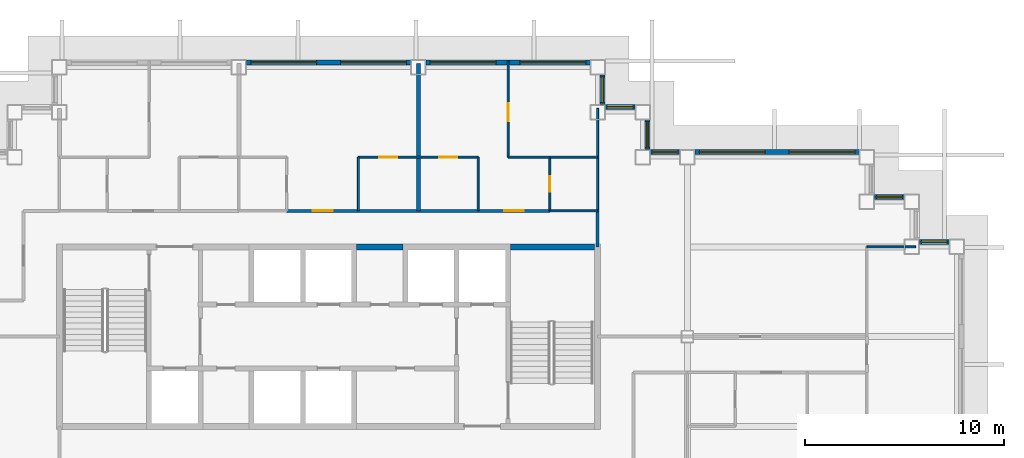
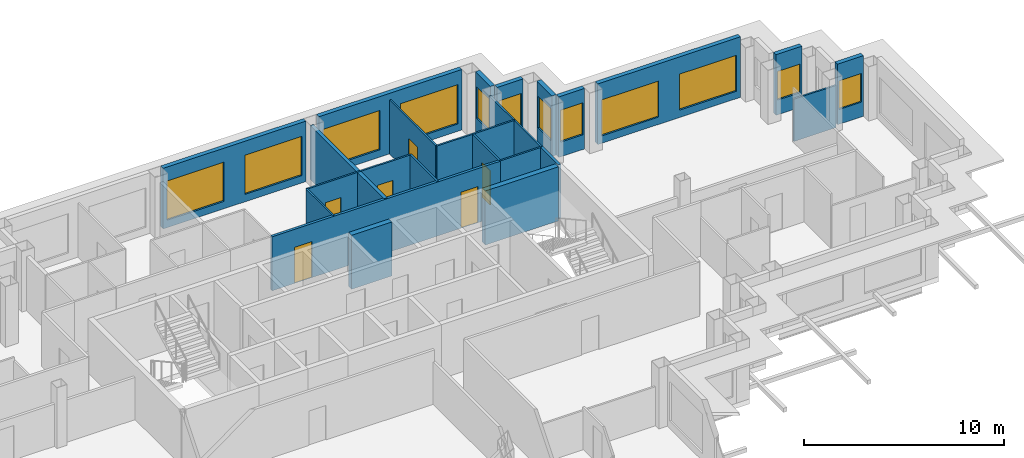
# One storey, part 8 of 14: 25 walls, 12 windows, 6 doors, 18 openings.
"""IFC4 building model written with IfcOpenShell, lengths in metres."""

from ifc_helpers import new_model, si_unit, direction, frame, frame_2d, origin, place, context, subcontext, project, spatial, rectangle, extrude, material, layer, layer_set, type_object, element, fill, save


model = new_model("IFC4")

# Units and contexts
model_context = context("Model", 3, precision=1e-05, world=origin(), true_north=direction((0.0, 1.0)))
body_context = subcontext(model_context, "Body", "Model", "MODEL_VIEW")
ifc_project = project(units=[si_unit("LENGTHUNIT", "METRE"), si_unit("AREAUNIT", "SQUARE_METRE"), si_unit("VOLUMEUNIT", "CUBIC_METRE"), si_unit("PLANEANGLEUNIT", "RADIAN"), si_unit("MASSUNIT", "GRAM", prefix="KILO")], contexts=[model_context])

# Site, building, storey
site_placement = place(None, origin())
site = spatial("IfcSite", under=ifc_project, at=site_placement, CompositionType="ELEMENT")
building_placement = place(site_placement, origin())
building = spatial("IfcBuilding", under=site, at=building_placement, Name="Caravel Reach Hotel and Residences", CompositionType="ELEMENT")
storey_placement = place(building_placement, frame((0.0, 0.0, 183.89990234375)))
storey = spatial("IfcBuildingStorey", under=building, at=storey_placement, Name="L46", CompositionType="ELEMENT", Elevation=183.89990234375)

# Walls
ifc_material_1 = material(Name="Gypsum board on steel stud", Category="steel")
ifc_layer_1 = layer(ifc_material_1, 0.10009765625)
ifc_layer_set_1 = layer_set([ifc_layer_1], Name="Bathroom pod wall 100 mm")
wall_type_1 = type_object("IfcWallType", Name="Bathroom pod wall 100 mm", PredefinedType="PARTITIONING", material=ifc_layer_set_1)
for number, where, z_axis, x_axis, name in (
    (1, (42.60009765625, 33.300048828125, 0.0), (0.0, 0.0, 1.0), (1.0, 0.0, 0.0), "L46 wall w079"),
    (2, (42.60009765625, 36.0, 0.0), (0.0, 0.0, 1.0), (1.0, 0.0, 0.0), "L46 wall w082"),
):
    element("IfcWall", number, at=place(storey_placement, frame(where, z_axis=z_axis, x_axis=x_axis)), inside=storey, type_object=wall_type_1, Name=name, PredefinedType="PARTITIONING", context=body_context, shape_type="SweptSolid", body=[
        extrude(rectangle(XDim=2.39990234375, YDim=0.10009765625, at=frame_2d((1.199951171875, 0.0))), origin(), (0.0, 0.0, 1.0), 3.300048828125),
    ])

# Wall, opening, door
wall_1_placement = place(storey_placement, frame((42.60009765625, 33.300048828125, 0.0), z_axis=(0.0, 0.0, 1.0), x_axis=(0.0, 1.0, 0.0)))
wall_1 = element("IfcWall", 3, at=wall_1_placement, inside=storey, type_object=wall_type_1, Name="L46 wall w093", PredefinedType="PARTITIONING", context=body_context, shape_type="SweptSolid", body=[
    extrude(rectangle(XDim=2.699951171875, YDim=0.10009765625, at=frame_2d((1.35009765625, 0.0))), origin(), (0.0, 0.0, 1.0), 3.300048828125),
])
opening_1_placement = place(wall_1_placement, frame((0.949951171875, 0.0, 0.0)))
opening_1 = element("IfcOpeningElement", 4, at=opening_1_placement, cuts=wall_1, Name="Opening D46-025", PredefinedType="OPENING", context=body_context, shape_type="SweptSolid", body=[
    extrude(rectangle(XDim=0.800048828125, YDim=2.10009765625, at=frame_2d((0.39990234375, 1.050048828125))), frame((0.0, 0.06005859375, 0.0), z_axis=(0.0, -1.0, 0.0), x_axis=(1.0, 0.0, 0.0)), (0.0, 0.0, 1.0), 0.1201171875),
])
ifc_material_2 = material(Name="Timber and steel door leaf", Category="steel")
door_type_1 = type_object("IfcDoorType", Name="Bathroom door 800 x 2100", OperationType="SINGLE_SWING_LEFT", PredefinedType="DOOR", material=ifc_material_2)
door_1_placement = place(opening_1_placement, origin())
door_1 = element("IfcDoor", 5, at=door_1_placement, inside=storey, type_object=door_type_1, Name="door D46-025", OperationType="SINGLE_SWING_LEFT", OverallHeight=2.10009765625, OverallWidth=0.800048828125, PredefinedType="DOOR", context=body_context, shape_type="SweptSolid", body=[
    extrude(rectangle(XDim=0.800048828125, YDim=2.10009765625, at=frame_2d((0.39990234375, 1.050048828125))), frame((0.0, 0.02490234375, 0.0), z_axis=(0.0, -1.0, 0.0), x_axis=(1.0, 0.0, 0.0)), (0.0, 0.0, 1.0), 0.050048828125),
])
fill(opening_1, door_1)

# Walls
wall_2_placement = place(storey_placement, frame((45.0, 33.300048828125, 0.0), z_axis=(0.0, 0.0, 1.0), x_axis=(0.0, 1.0, 0.0)))
element("IfcWall", 6, at=wall_2_placement, inside=storey, type_object=wall_type_1, Name="L46 wall w094", PredefinedType="PARTITIONING", context=body_context, shape_type="SweptSolid", body=[
    extrude(rectangle(XDim=2.699951171875, YDim=0.10009765625, at=frame_2d((1.35009765625, 0.0))), origin(), (0.0, 0.0, 1.0), 3.300048828125),
])
ifc_material_3 = material(Name="Concrete C60", Category="concrete")
ifc_layer_2 = layer(ifc_material_3, 0.300048828125)
ifc_layer_set_2 = layer_set([ifc_layer_2], Name="Core wall 300 mm EI 120")
wall_type_2 = type_object("IfcWallType", Name="Core wall 300 mm EI 120", PredefinedType="SHEAR", material=ifc_layer_set_2)
wall_3_placement = place(storey_placement, frame((32.91064453125, 31.5, 0.0), z_axis=(0.0, 0.0, 1.0), x_axis=(1.0, 0.0, 0.0)))
element("IfcWall", 7, at=wall_3_placement, inside=storey, type_object=wall_type_2, Name="L46 core wall N2", PredefinedType="SHEAR", context=body_context, shape_type="SweptSolid", body=[
    extrude(rectangle(XDim=2.321533203125, YDim=0.300048828125, at=frame_2d((1.16064453125, 0.0))), origin(), (0.0, 0.0, 1.0), 3.300048828125),
])
wall_4_placement = place(storey_placement, frame((40.625, 31.5, 0.0), z_axis=(0.0, 0.0, 1.0), x_axis=(1.0, 0.0, 0.0)))
element("IfcWall", 8, at=wall_4_placement, inside=storey, type_object=wall_type_2, Name="L46 core wall N3", PredefinedType="SHEAR", context=body_context, shape_type="SweptSolid", body=[
    extrude(rectangle(XDim=4.22509765625, YDim=0.300048828125, at=frame_2d((2.112548828125, 0.0))), origin(), (0.0, 0.0, 1.0), 3.300048828125),
])

# Wall, openings, doors
ifc_material_4 = material(Name="Gypsum board on steel stud, fire-rated", Category="steel")
ifc_layer_3 = layer(ifc_material_4, 0.14990234375)
ifc_layer_set_3 = layer_set([ifc_layer_3], Name="Corridor wall 150 mm EI 60")
wall_type_3 = type_object("IfcWallType", Name="Corridor wall 150 mm EI 60", PredefinedType="PARTITIONING", material=ifc_layer_set_3)
wall_5_placement = place(storey_placement, frame((29.39990234375, 33.300048828125, 0.0), z_axis=(0.0, 0.0, 1.0), x_axis=(1.0, 0.0, 0.0)))
wall_5 = element("IfcWall", 9, at=wall_5_placement, inside=storey, type_object=wall_type_3, Name="L46 wall w015", PredefinedType="PARTITIONING", context=body_context, shape_type="SweptSolid", body=[
    extrude(rectangle(XDim=13.2001953125, YDim=0.14990234375, at=frame_2d((6.60009765625, 0.0))), origin(), (0.0, 0.0, 1.0), 3.300048828125),
])
opening_2_placement = place(wall_5_placement, frame((1.300048828125, 0.0, 0.0)))
opening_2 = element("IfcOpeningElement", 10, at=opening_2_placement, cuts=wall_5, Name="Opening D46-020", PredefinedType="OPENING", context=body_context, shape_type="SweptSolid", body=[
    extrude(rectangle(XDim=1.0, YDim=2.199951171875, at=frame_2d((0.5, 1.10009765625))), frame((0.0, 0.0849609375, 0.0), z_axis=(0.0, -1.0, 0.0), x_axis=(1.0, 0.0, 0.0)), (0.0, 0.0, 1.0), 0.169921875),
])
opening_3_placement = place(wall_5_placement, frame((10.900146484375, 0.0, 0.0)))
opening_3 = element("IfcOpeningElement", 11, at=opening_3_placement, cuts=wall_5, Name="Opening D46-023", PredefinedType="OPENING", context=body_context, shape_type="SweptSolid", body=[
    extrude(rectangle(XDim=1.0, YDim=2.199951171875, at=frame_2d((0.5, 1.10009765625))), frame((0.0, 0.0849609375, 0.0), z_axis=(0.0, -1.0, 0.0), x_axis=(1.0, 0.0, 0.0)), (0.0, 0.0, 1.0), 0.169921875),
])
ifc_material_5 = material(Name="Steel fire door leaf", Category="steel")
door_type_2 = type_object("IfcDoorType", Name="Flat entrance door 1000 x 2200 EI 60", OperationType="SINGLE_SWING_LEFT", PredefinedType="DOOR", material=ifc_material_5)
door_2_placement = place(opening_2_placement, origin())
door_2 = element("IfcDoor", 12, at=door_2_placement, inside=storey, type_object=door_type_2, Name="door D46-020", OperationType="SINGLE_SWING_RIGHT", OverallHeight=2.199951171875, OverallWidth=1.0, PredefinedType="DOOR", context=body_context, shape_type="SweptSolid", body=[
    extrude(rectangle(XDim=1.0, YDim=2.199951171875, at=frame_2d((0.5, 1.10009765625))), frame((0.0, 0.02490234375, 0.0), z_axis=(0.0, -1.0, 0.0), x_axis=(1.0, 0.0, 0.0)), (0.0, 0.0, 1.0), 0.050048828125),
])
fill(opening_2, door_2)
door_3_placement = place(opening_3_placement, origin())
door_3 = element("IfcDoor", 13, at=door_3_placement, inside=storey, type_object=door_type_2, Name="door D46-023", OperationType="SINGLE_SWING_RIGHT", OverallHeight=2.199951171875, OverallWidth=1.0, PredefinedType="DOOR", context=body_context, shape_type="SweptSolid", body=[
    extrude(rectangle(XDim=1.0, YDim=2.199951171875, at=frame_2d((0.5, 1.10009765625))), frame((0.0, 0.02490234375, 0.0), z_axis=(0.0, -1.0, 0.0), x_axis=(1.0, 0.0, 0.0)), (0.0, 0.0, 1.0), 0.050048828125),
])
fill(opening_3, door_3)

# Wall
wall_6_placement = place(storey_placement, frame((45.0, 31.5, 0.0), z_axis=(0.0, 0.0, 1.0), x_axis=(0.0, 1.0, 0.0)))
element("IfcWall", 14, at=wall_6_placement, inside=storey, type_object=wall_type_3, Name="L46 wall w029", PredefinedType="PARTITIONING", context=body_context, shape_type="SweptSolid", body=[
    extrude(rectangle(XDim=1.800048828125, YDim=0.14990234375, at=frame_2d((0.89990234375, 0.0))), origin(), (0.0, 0.0, 1.0), 3.300048828125),
])

# Wall, opening, window
ifc_material_6 = material(Name="Insulated rainscreen wall, aluminium cladding", Category="aluminium")
ifc_layer_4 = layer(ifc_material_6, 0.25)
ifc_layer_set_4 = layer_set([ifc_layer_4], Name="EW1 Tower rainscreen wall")
wall_type_4 = type_object("IfcWallType", Name="EW1 Tower rainscreen wall", PredefinedType="SOLIDWALL", material=ifc_layer_set_4)
wall_7_placement = place(storey_placement, frame((62.625, 31.75, 0.0), z_axis=(0.0, 0.0, 1.0), x_axis=(-1.0, 0.0, 0.0)))
wall_7 = element("IfcWall", 15, at=wall_7_placement, inside=storey, type_object=wall_type_4, Name="External wall L46 N21.1", PredefinedType="SOLIDWALL", context=body_context, shape_type="SweptSolid", body=[
    extrude(rectangle(XDim=1.5, YDim=0.25, at=frame_2d((0.75, 0.0))), origin(), (0.0, 0.0, 1.0), 3.7001953125),
])
opening_4_placement = place(wall_7_placement, frame((0.10009765625, 0.0, 0.89990234375)))
opening_4 = element("IfcOpeningElement", 16, at=opening_4_placement, cuts=wall_7, Name="Opening WN20", PredefinedType="OPENING", context=body_context, shape_type="SweptSolid", body=[
    extrude(rectangle(XDim=1.300048828125, YDim=1.75, at=frame_2d((0.64990234375, 0.875))), frame((0.0, 0.135009765625, 0.0), z_axis=(0.0, -1.0, 0.0), x_axis=(1.0, 0.0, 0.0)), (0.0, 0.0, 1.0), 0.27001953125),
])
ifc_material_7 = material(Name="Dark low-e glazing in black aluminium frame", Category="aluminium")
window_type_1 = type_object("IfcWindowType", Name="Residence bedroom window 1300 x 1750", PartitioningType="SINGLE_PANEL", PredefinedType="WINDOW", material=ifc_material_7)
window_1_placement = place(opening_4_placement, origin())
window_1 = element("IfcWindow", 17, at=window_1_placement, inside=storey, type_object=window_type_1, Name="Window L46 N21.1.1", OverallHeight=1.75, OverallWidth=1.300048828125, PartitioningType="SINGLE_PANEL", PredefinedType="WINDOW", context=body_context, shape_type="SweptSolid", body=[
    extrude(rectangle(XDim=1.300048828125, YDim=1.75, at=frame_2d((0.64990234375, 0.875))), frame((0.0, 0.030029296875, 0.0), z_axis=(0.0, -1.0, 0.0), x_axis=(1.0, 0.0, 0.0)), (0.0, 0.0, 1.0), 0.06005859375),
])
fill(opening_4, window_1)

wall_8_placement = place(storey_placement, frame((60.375, 34.0, 0.0), z_axis=(0.0, 0.0, 1.0), x_axis=(-1.0, 0.0, 0.0)))
wall_8 = element("IfcWall", 18, at=wall_8_placement, inside=storey, type_object=wall_type_4, Name="External wall L46 N23.1", PredefinedType="SOLIDWALL", context=body_context, shape_type="SweptSolid", body=[
    extrude(rectangle(XDim=1.5, YDim=0.25, at=frame_2d((0.75, 0.0))), origin(), (0.0, 0.0, 1.0), 3.7001953125),
])
opening_5_placement = place(wall_8_placement, frame((0.10009765625, 0.0, 0.89990234375)))
opening_5 = element("IfcOpeningElement", 19, at=opening_5_placement, cuts=wall_8, Name="Opening WN20", PredefinedType="OPENING", context=body_context, shape_type="SweptSolid", body=[
    extrude(rectangle(XDim=1.300048828125, YDim=1.75, at=frame_2d((0.64990234375, 0.875))), frame((0.0, 0.135009765625, 0.0), z_axis=(0.0, -1.0, 0.0), x_axis=(1.0, 0.0, 0.0)), (0.0, 0.0, 1.0), 0.27001953125),
])
window_2_placement = place(opening_5_placement, origin())
window_2 = element("IfcWindow", 20, at=window_2_placement, inside=storey, type_object=window_type_1, Name="Window L46 N23.1.1", OverallHeight=1.75, OverallWidth=1.300048828125, PartitioningType="SINGLE_PANEL", PredefinedType="WINDOW", context=body_context, shape_type="SweptSolid", body=[
    extrude(rectangle(XDim=1.300048828125, YDim=1.75, at=frame_2d((0.64990234375, 0.875))), frame((0.0, 0.030029296875, 0.0), z_axis=(0.0, -1.0, 0.0), x_axis=(1.0, 0.0, 0.0)), (0.0, 0.0, 1.0), 0.06005859375),
])
fill(opening_5, window_2)

# Wall, openings, windows
wall_9_placement = place(storey_placement, frame((58.125, 36.25, 0.0), z_axis=(0.0, 0.0, 1.0), x_axis=(-1.0, 0.0, 0.0)))
wall_9 = element("IfcWall", 21, at=wall_9_placement, inside=storey, type_object=wall_type_4, Name="External wall L46 N25.1", PredefinedType="SOLIDWALL", context=body_context, shape_type="SweptSolid", body=[
    extrude(rectangle(XDim=8.25, YDim=0.25, at=frame_2d((4.125, 0.0))), origin(), (0.0, 0.0, 1.0), 3.7001953125),
])
opening_6_placement = place(wall_9_placement, frame((0.22509765625, 0.0, 0.449951171875)))
opening_6 = element("IfcOpeningElement", 22, at=opening_6_placement, cuts=wall_9, Name="Opening WN19", PredefinedType="OPENING", context=body_context, shape_type="SweptSolid", body=[
    extrude(rectangle(XDim=3.300048828125, YDim=2.199951171875, at=frame_2d((1.64990234375, 1.10009765625))), frame((0.0, 0.135009765625, 0.0), z_axis=(0.0, -1.0, 0.0), x_axis=(1.0, 0.0, 0.0)), (0.0, 0.0, 1.0), 0.27001953125),
])
opening_7_placement = place(wall_9_placement, frame((4.72509765625, 0.0, 0.449951171875)))
opening_7 = element("IfcOpeningElement", 23, at=opening_7_placement, cuts=wall_9, Name="Opening WN19", PredefinedType="OPENING", context=body_context, shape_type="SweptSolid", body=[
    extrude(rectangle(XDim=3.300048828125, YDim=2.199951171875, at=frame_2d((1.64990234375, 1.10009765625))), frame((0.0, 0.135009765625, 0.0), z_axis=(0.0, -1.0, 0.0), x_axis=(1.0, 0.0, 0.0)), (0.0, 0.0, 1.0), 0.27001953125),
])
ifc_material_8 = material(Name="Dark low-e glazing in black aluminium frame", Category="aluminium")
window_type_2 = type_object("IfcWindowType", Name="Residence living window 3300 x 2200", PartitioningType="SINGLE_PANEL", PredefinedType="WINDOW", material=ifc_material_8)
window_3_placement = place(opening_6_placement, origin())
window_3 = element("IfcWindow", 24, at=window_3_placement, inside=storey, type_object=window_type_2, Name="Window L46 N25.1.1", OverallHeight=2.199951171875, OverallWidth=3.300048828125, PartitioningType="SINGLE_PANEL", PredefinedType="WINDOW", context=body_context, shape_type="SweptSolid", body=[
    extrude(rectangle(XDim=3.300048828125, YDim=2.199951171875, at=frame_2d((1.64990234375, 1.10009765625))), frame((0.0, 0.030029296875, 0.0), z_axis=(0.0, -1.0, 0.0), x_axis=(1.0, 0.0, 0.0)), (0.0, 0.0, 1.0), 0.06005859375),
])
fill(opening_6, window_3)
window_4_placement = place(opening_7_placement, origin())
window_4 = element("IfcWindow", 25, at=window_4_placement, inside=storey, type_object=window_type_2, Name="Window L46 N25.1.2", OverallHeight=2.199951171875, OverallWidth=3.300048828125, PartitioningType="SINGLE_PANEL", PredefinedType="WINDOW", context=body_context, shape_type="SweptSolid", body=[
    extrude(rectangle(XDim=3.300048828125, YDim=2.199951171875, at=frame_2d((1.64990234375, 1.10009765625))), frame((0.0, 0.030029296875, 0.0), z_axis=(0.0, -1.0, 0.0), x_axis=(1.0, 0.0, 0.0)), (0.0, 0.0, 1.0), 0.06005859375),
])
fill(opening_7, window_4)

# Wall, opening, window
wall_10_placement = place(storey_placement, frame((49.125, 36.25, 0.0), z_axis=(0.0, 0.0, 1.0), x_axis=(-1.0, 0.0, 0.0)))
wall_10 = element("IfcWall", 26, at=wall_10_placement, inside=storey, type_object=wall_type_4, Name="External wall L46 N25.2", PredefinedType="SOLIDWALL", context=body_context, shape_type="SweptSolid", body=[
    extrude(rectangle(XDim=1.5, YDim=0.25, at=frame_2d((0.75, 0.0))), origin(), (0.0, 0.0, 1.0), 3.7001953125),
])
opening_8_placement = place(wall_10_placement, frame((0.10009765625, 0.0, 0.89990234375)))
opening_8 = element("IfcOpeningElement", 27, at=opening_8_placement, cuts=wall_10, Name="Opening WN17", PredefinedType="OPENING", context=body_context, shape_type="SweptSolid", body=[
    extrude(rectangle(XDim=1.300048828125, YDim=1.949951171875, at=frame_2d((0.64990234375, 0.97509765625))), frame((0.0, 0.135009765625, 0.0), z_axis=(0.0, -1.0, 0.0), x_axis=(1.0, 0.0, 0.0)), (0.0, 0.0, 1.0), 0.27001953125),
])
ifc_material_9 = material(Name="Dark low-e glazing in black aluminium frame", Category="aluminium")
window_type_3 = type_object("IfcWindowType", Name="Residence bedroom window 1300 x 1950", PartitioningType="SINGLE_PANEL", PredefinedType="WINDOW", material=ifc_material_9)
window_5_placement = place(opening_8_placement, origin())
window_5 = element("IfcWindow", 28, at=window_5_placement, inside=storey, type_object=window_type_3, Name="Window L46 N25.2.1", OverallHeight=1.949951171875, OverallWidth=1.300048828125, PartitioningType="SINGLE_PANEL", PredefinedType="WINDOW", context=body_context, shape_type="SweptSolid", body=[
    extrude(rectangle(XDim=1.300048828125, YDim=1.949951171875, at=frame_2d((0.64990234375, 0.97509765625))), frame((0.0, 0.030029296875, 0.0), z_axis=(0.0, -1.0, 0.0), x_axis=(1.0, 0.0, 0.0)), (0.0, 0.0, 1.0), 0.06005859375),
])
fill(opening_8, window_5)

wall_11_placement = place(storey_placement, frame((47.5, 36.375, 0.0), z_axis=(0.0, 0.0, 1.0), x_axis=(0.0, 1.0, 0.0)))
wall_11 = element("IfcWall", 29, at=wall_11_placement, inside=storey, type_object=wall_type_4, Name="External wall L46 E26.1", PredefinedType="SOLIDWALL", context=body_context, shape_type="SweptSolid", body=[
    extrude(rectangle(XDim=1.5, YDim=0.25, at=frame_2d((0.75, 0.0))), origin(), (0.0, 0.0, 1.0), 3.7001953125),
])
opening_9_placement = place(wall_11_placement, frame((0.10009765625, 0.0, 0.89990234375)))
opening_9 = element("IfcOpeningElement", 30, at=opening_9_placement, cuts=wall_11, Name="Opening WN17", PredefinedType="OPENING", context=body_context, shape_type="SweptSolid", body=[
    extrude(rectangle(XDim=1.300048828125, YDim=1.949951171875, at=frame_2d((0.64990234375, 0.97509765625))), frame((0.0, 0.135009765625, 0.0), z_axis=(0.0, -1.0, 0.0), x_axis=(1.0, 0.0, 0.0)), (0.0, 0.0, 1.0), 0.27001953125),
])
window_6_placement = place(opening_9_placement, origin())
window_6 = element("IfcWindow", 31, at=window_6_placement, inside=storey, type_object=window_type_3, Name="Window L46 E26.1.1", OverallHeight=1.949951171875, OverallWidth=1.300048828125, PartitioningType="SINGLE_PANEL", PredefinedType="WINDOW", context=body_context, shape_type="SweptSolid", body=[
    extrude(rectangle(XDim=1.300048828125, YDim=1.949951171875, at=frame_2d((0.64990234375, 0.97509765625))), frame((0.0, 0.030029296875, 0.0), z_axis=(0.0, -1.0, 0.0), x_axis=(1.0, 0.0, 0.0)), (0.0, 0.0, 1.0), 0.06005859375),
])
fill(opening_9, window_6)

wall_12_placement = place(storey_placement, frame((46.875, 38.5, 0.0), z_axis=(0.0, 0.0, 1.0), x_axis=(-1.0, 0.0, 0.0)))
wall_12 = element("IfcWall", 32, at=wall_12_placement, inside=storey, type_object=wall_type_4, Name="External wall L46 N27.1", PredefinedType="SOLIDWALL", context=body_context, shape_type="SweptSolid", body=[
    extrude(rectangle(XDim=1.5, YDim=0.25, at=frame_2d((0.75, 0.0))), origin(), (0.0, 0.0, 1.0), 3.7001953125),
])
opening_10_placement = place(wall_12_placement, frame((0.10009765625, 0.0, 0.89990234375)))
opening_10 = element("IfcOpeningElement", 33, at=opening_10_placement, cuts=wall_12, Name="Opening WN17", PredefinedType="OPENING", context=body_context, shape_type="SweptSolid", body=[
    extrude(rectangle(XDim=1.300048828125, YDim=1.949951171875, at=frame_2d((0.64990234375, 0.97509765625))), frame((0.0, 0.135009765625, 0.0), z_axis=(0.0, -1.0, 0.0), x_axis=(1.0, 0.0, 0.0)), (0.0, 0.0, 1.0), 0.27001953125),
])
window_7_placement = place(opening_10_placement, origin())
window_7 = element("IfcWindow", 34, at=window_7_placement, inside=storey, type_object=window_type_3, Name="Window L46 N27.1.1", OverallHeight=1.949951171875, OverallWidth=1.300048828125, PartitioningType="SINGLE_PANEL", PredefinedType="WINDOW", context=body_context, shape_type="SweptSolid", body=[
    extrude(rectangle(XDim=1.300048828125, YDim=1.949951171875, at=frame_2d((0.64990234375, 0.97509765625))), frame((0.0, 0.030029296875, 0.0), z_axis=(0.0, -1.0, 0.0), x_axis=(1.0, 0.0, 0.0)), (0.0, 0.0, 1.0), 0.06005859375),
])
fill(opening_10, window_7)

wall_13_placement = place(storey_placement, frame((45.25, 38.625, 0.0), z_axis=(0.0, 0.0, 1.0), x_axis=(0.0, 1.0, 0.0)))
wall_13 = element("IfcWall", 35, at=wall_13_placement, inside=storey, type_object=wall_type_4, Name="External wall L46 E28.1", PredefinedType="SOLIDWALL", context=body_context, shape_type="SweptSolid", body=[
    extrude(rectangle(XDim=1.5, YDim=0.25, at=frame_2d((0.75, 0.0))), origin(), (0.0, 0.0, 1.0), 3.7001953125),
])
opening_11_placement = place(wall_13_placement, frame((0.10009765625, 0.0, 0.89990234375)))
opening_11 = element("IfcOpeningElement", 36, at=opening_11_placement, cuts=wall_13, Name="Opening WN17", PredefinedType="OPENING", context=body_context, shape_type="SweptSolid", body=[
    extrude(rectangle(XDim=1.300048828125, YDim=1.949951171875, at=frame_2d((0.64990234375, 0.97509765625))), frame((0.0, 0.135009765625, 0.0), z_axis=(0.0, -1.0, 0.0), x_axis=(1.0, 0.0, 0.0)), (0.0, 0.0, 1.0), 0.27001953125),
])
window_8_placement = place(opening_11_placement, origin())
window_8 = element("IfcWindow", 37, at=window_8_placement, inside=storey, type_object=window_type_3, Name="Window L46 E28.1.1", OverallHeight=1.949951171875, OverallWidth=1.300048828125, PartitioningType="SINGLE_PANEL", PredefinedType="WINDOW", context=body_context, shape_type="SweptSolid", body=[
    extrude(rectangle(XDim=1.300048828125, YDim=1.949951171875, at=frame_2d((0.64990234375, 0.97509765625))), frame((0.0, 0.030029296875, 0.0), z_axis=(0.0, -1.0, 0.0), x_axis=(1.0, 0.0, 0.0)), (0.0, 0.0, 1.0), 0.06005859375),
])
fill(opening_11, window_8)

# Wall, openings, windows
wall_14_placement = place(storey_placement, frame((44.625, 40.75, 0.0), z_axis=(0.0, 0.0, 1.0), x_axis=(-1.0, 0.0, 0.0)))
wall_14 = element("IfcWall", 38, at=wall_14_placement, inside=storey, type_object=wall_type_4, Name="External wall L46 N29.1", PredefinedType="SOLIDWALL", context=body_context, shape_type="SweptSolid", body=[
    extrude(rectangle(XDim=8.25, YDim=0.25, at=frame_2d((4.125, 0.0))), origin(), (0.0, 0.0, 1.0), 3.7001953125),
])
opening_12_placement = place(wall_14_placement, frame((0.22509765625, 0.0, 0.449951171875)))
opening_12 = element("IfcOpeningElement", 39, at=opening_12_placement, cuts=wall_14, Name="Opening WN18", PredefinedType="OPENING", context=body_context, shape_type="SweptSolid", body=[
    extrude(rectangle(XDim=3.300048828125, YDim=2.39990234375, at=frame_2d((1.64990234375, 1.199951171875))), frame((0.0, 0.135009765625, 0.0), z_axis=(0.0, -1.0, 0.0), x_axis=(1.0, 0.0, 0.0)), (0.0, 0.0, 1.0), 0.27001953125),
])
opening_13_placement = place(wall_14_placement, frame((4.72509765625, 0.0, 0.449951171875)))
opening_13 = element("IfcOpeningElement", 40, at=opening_13_placement, cuts=wall_14, Name="Opening WN18", PredefinedType="OPENING", context=body_context, shape_type="SweptSolid", body=[
    extrude(rectangle(XDim=3.300048828125, YDim=2.39990234375, at=frame_2d((1.64990234375, 1.199951171875))), frame((0.0, 0.135009765625, 0.0), z_axis=(0.0, -1.0, 0.0), x_axis=(1.0, 0.0, 0.0)), (0.0, 0.0, 1.0), 0.27001953125),
])
ifc_material_10 = material(Name="Dark low-e glazing in black aluminium frame", Category="aluminium")
window_type_4 = type_object("IfcWindowType", Name="Residence living window 3300 x 2400", PartitioningType="SINGLE_PANEL", PredefinedType="WINDOW", material=ifc_material_10)
window_9_placement = place(opening_12_placement, origin())
window_9 = element("IfcWindow", 41, at=window_9_placement, inside=storey, type_object=window_type_4, Name="Window L46 N29.1.1", OverallHeight=2.39990234375, OverallWidth=3.300048828125, PartitioningType="SINGLE_PANEL", PredefinedType="WINDOW", context=body_context, shape_type="SweptSolid", body=[
    extrude(rectangle(XDim=3.300048828125, YDim=2.39990234375, at=frame_2d((1.64990234375, 1.199951171875))), frame((0.0, 0.030029296875, 0.0), z_axis=(0.0, -1.0, 0.0), x_axis=(1.0, 0.0, 0.0)), (0.0, 0.0, 1.0), 0.06005859375),
])
fill(opening_12, window_9)
window_10_placement = place(opening_13_placement, origin())
window_10 = element("IfcWindow", 42, at=window_10_placement, inside=storey, type_object=window_type_4, Name="Window L46 N29.1.2", OverallHeight=2.39990234375, OverallWidth=3.300048828125, PartitioningType="SINGLE_PANEL", PredefinedType="WINDOW", context=body_context, shape_type="SweptSolid", body=[
    extrude(rectangle(XDim=3.300048828125, YDim=2.39990234375, at=frame_2d((1.64990234375, 1.199951171875))), frame((0.0, 0.030029296875, 0.0), z_axis=(0.0, -1.0, 0.0), x_axis=(1.0, 0.0, 0.0)), (0.0, 0.0, 1.0), 0.06005859375),
])
fill(opening_13, window_10)

wall_15_placement = place(storey_placement, frame((35.625, 40.75, 0.0), z_axis=(0.0, 0.0, 1.0), x_axis=(-1.0, 0.0, 0.0)))
wall_15 = element("IfcWall", 43, at=wall_15_placement, inside=storey, type_object=wall_type_4, Name="External wall L46 N29.2", PredefinedType="SOLIDWALL", context=body_context, shape_type="SweptSolid", body=[
    extrude(rectangle(XDim=8.25, YDim=0.25, at=frame_2d((4.125, 0.0))), origin(), (0.0, 0.0, 1.0), 3.7001953125),
])
opening_14_placement = place(wall_15_placement, frame((0.22509765625, 0.0, 0.449951171875)))
opening_14 = element("IfcOpeningElement", 44, at=opening_14_placement, cuts=wall_15, Name="Opening WN18", PredefinedType="OPENING", context=body_context, shape_type="SweptSolid", body=[
    extrude(rectangle(XDim=3.300048828125, YDim=2.39990234375, at=frame_2d((1.64990234375, 1.199951171875))), frame((0.0, 0.135009765625, 0.0), z_axis=(0.0, -1.0, 0.0), x_axis=(1.0, 0.0, 0.0)), (0.0, 0.0, 1.0), 0.27001953125),
])
opening_15_placement = place(wall_15_placement, frame((4.72509765625, 0.0, 0.449951171875)))
opening_15 = element("IfcOpeningElement", 45, at=opening_15_placement, cuts=wall_15, Name="Opening WN18", PredefinedType="OPENING", context=body_context, shape_type="SweptSolid", body=[
    extrude(rectangle(XDim=3.300048828125, YDim=2.39990234375, at=frame_2d((1.64990234375, 1.199951171875))), frame((0.0, 0.135009765625, 0.0), z_axis=(0.0, -1.0, 0.0), x_axis=(1.0, 0.0, 0.0)), (0.0, 0.0, 1.0), 0.27001953125),
])
window_11_placement = place(opening_14_placement, origin())
window_11 = element("IfcWindow", 46, at=window_11_placement, inside=storey, type_object=window_type_4, Name="Window L46 N29.2.1", OverallHeight=2.39990234375, OverallWidth=3.300048828125, PartitioningType="SINGLE_PANEL", PredefinedType="WINDOW", context=body_context, shape_type="SweptSolid", body=[
    extrude(rectangle(XDim=3.300048828125, YDim=2.39990234375, at=frame_2d((1.64990234375, 1.199951171875))), frame((0.0, 0.030029296875, 0.0), z_axis=(0.0, -1.0, 0.0), x_axis=(1.0, 0.0, 0.0)), (0.0, 0.0, 1.0), 0.06005859375),
])
fill(opening_14, window_11)
window_12_placement = place(opening_15_placement, origin())
window_12 = element("IfcWindow", 47, at=window_12_placement, inside=storey, type_object=window_type_4, Name="Window L46 N29.2.2", OverallHeight=2.39990234375, OverallWidth=3.300048828125, PartitioningType="SINGLE_PANEL", PredefinedType="WINDOW", context=body_context, shape_type="SweptSolid", body=[
    extrude(rectangle(XDim=3.300048828125, YDim=2.39990234375, at=frame_2d((1.64990234375, 1.199951171875))), frame((0.0, 0.030029296875, 0.0), z_axis=(0.0, -1.0, 0.0), x_axis=(1.0, 0.0, 0.0)), (0.0, 0.0, 1.0), 0.06005859375),
])
fill(opening_15, window_12)

# Wall
ifc_material_11 = material(Name="Gypsum board on steel stud", Category="steel")
ifc_layer_5 = layer(ifc_material_11, 0.10009765625)
ifc_layer_set_5 = layer_set([ifc_layer_5], Name="Partition 100 mm")
wall_type_5 = type_object("IfcWallType", Name="Partition 100 mm", PredefinedType="PARTITIONING", material=ifc_layer_set_5)
wall_16_placement = place(storey_placement, frame((58.5009765625, 31.5, 0.0), z_axis=(0.0, 0.0, 1.0), x_axis=(1.0, 0.0, 0.0)))
element("IfcWall", 48, at=wall_16_placement, inside=storey, type_object=wall_type_5, Name="L46 wall w040", PredefinedType="PARTITIONING", context=body_context, shape_type="SweptSolid", body=[
    extrude(rectangle(XDim=2.43896484375, YDim=0.10009765625, at=frame_2d((1.219482421875, 0.0))), origin(), (0.0, 0.0, 1.0), 2.580078125),
])

# Wall, openings, doors
wall_17_placement = place(storey_placement, frame((33.0, 36.0, 0.0), z_axis=(0.0, 0.0, 1.0), x_axis=(1.0, 0.0, 0.0)))
wall_17 = element("IfcWall", 49, at=wall_17_placement, inside=storey, type_object=wall_type_5, Name="L46 wall w045", PredefinedType="PARTITIONING", context=body_context, shape_type="SweptSolid", body=[
    extrude(rectangle(XDim=6.0, YDim=0.10009765625, at=frame_2d((3.0, 0.0))), origin(), (0.0, 0.0, 1.0), 3.300048828125),
])
opening_16_placement = place(wall_17_placement, frame((1.050048828125, 0.0, 0.0)))
opening_16 = element("IfcOpeningElement", 50, at=opening_16_placement, cuts=wall_17, Name="Opening D46-022", PredefinedType="OPENING", context=body_context, shape_type="SweptSolid", body=[
    extrude(rectangle(XDim=0.89990234375, YDim=2.10009765625, at=frame_2d((0.449951171875, 1.050048828125))), frame((0.0, 0.06005859375, 0.0), z_axis=(0.0, -1.0, 0.0), x_axis=(1.0, 0.0, 0.0)), (0.0, 0.0, 1.0), 0.1201171875),
])
opening_17_placement = place(wall_17_placement, frame((4.050048828125, 0.0, 0.0)))
opening_17 = element("IfcOpeningElement", 51, at=opening_17_placement, cuts=wall_17, Name="Opening D46-024", PredefinedType="OPENING", context=body_context, shape_type="SweptSolid", body=[
    extrude(rectangle(XDim=0.89990234375, YDim=2.10009765625, at=frame_2d((0.449951171875, 1.050048828125))), frame((0.0, 0.06005859375, 0.0), z_axis=(0.0, -1.0, 0.0), x_axis=(1.0, 0.0, 0.0)), (0.0, 0.0, 1.0), 0.1201171875),
])
ifc_material_12 = material(Name="Timber and steel door leaf", Category="steel")
door_type_3 = type_object("IfcDoorType", Name="Door 900 x 2100 timber", OperationType="SINGLE_SWING_LEFT", PredefinedType="DOOR", material=ifc_material_12)
door_4_placement = place(opening_16_placement, origin())
door_4 = element("IfcDoor", 52, at=door_4_placement, inside=storey, type_object=door_type_3, Name="door D46-022", OperationType="SINGLE_SWING_RIGHT", OverallHeight=2.10009765625, OverallWidth=0.89990234375, PredefinedType="DOOR", context=body_context, shape_type="SweptSolid", body=[
    extrude(rectangle(XDim=0.89990234375, YDim=2.10009765625, at=frame_2d((0.449951171875, 1.050048828125))), frame((0.0, 0.02490234375, 0.0), z_axis=(0.0, -1.0, 0.0), x_axis=(1.0, 0.0, 0.0)), (0.0, 0.0, 1.0), 0.050048828125),
])
fill(opening_16, door_4)
door_5_placement = place(opening_17_placement, origin())
door_5 = element("IfcDoor", 53, at=door_5_placement, inside=storey, type_object=door_type_3, Name="door D46-024", OperationType="SINGLE_SWING_RIGHT", OverallHeight=2.10009765625, OverallWidth=0.89990234375, PredefinedType="DOOR", context=body_context, shape_type="SweptSolid", body=[
    extrude(rectangle(XDim=0.89990234375, YDim=2.10009765625, at=frame_2d((0.449951171875, 1.050048828125))), frame((0.0, 0.02490234375, 0.0), z_axis=(0.0, -1.0, 0.0), x_axis=(1.0, 0.0, 0.0)), (0.0, 0.0, 1.0), 0.050048828125),
])
fill(opening_17, door_5)

# Walls
wall_18_placement = place(storey_placement, frame((40.5, 36.0, 0.0), z_axis=(0.0, 0.0, 1.0), x_axis=(1.0, 0.0, 0.0)))
element("IfcWall", 54, at=wall_18_placement, inside=storey, type_object=wall_type_5, Name="L46 wall w046", PredefinedType="PARTITIONING", context=body_context, shape_type="SweptSolid", body=[
    extrude(rectangle(XDim=2.10009765625, YDim=0.10009765625, at=frame_2d((1.050048828125, 0.0))), origin(), (0.0, 0.0, 1.0), 3.300048828125),
])
for number, where, z_axis, x_axis, name in (
    (55, (33.0, 33.300048828125, 0.0), (0.0, 0.0, 1.0), (0.0, 1.0, 0.0), "L46 wall w057"),
    (56, (39.0, 33.300048828125, 0.0), (0.0, 0.0, 1.0), (0.0, 1.0, 0.0), "L46 wall w059"),
):
    element("IfcWall", number, at=place(storey_placement, frame(where, z_axis=z_axis, x_axis=x_axis)), inside=storey, type_object=wall_type_5, Name=name, PredefinedType="PARTITIONING", context=body_context, shape_type="SweptSolid", body=[
        extrude(rectangle(XDim=2.699951171875, YDim=0.10009765625, at=frame_2d((1.35009765625, 0.0))), origin(), (0.0, 0.0, 1.0), 3.300048828125),
    ])

# Wall, opening, door
wall_19_placement = place(storey_placement, frame((40.5, 36.0, 0.0), z_axis=(0.0, 0.0, 1.0), x_axis=(0.0, 1.0, 0.0)))
wall_19 = element("IfcWall", 57, at=wall_19_placement, inside=storey, type_object=wall_type_5, Name="L46 wall w061", PredefinedType="PARTITIONING", context=body_context, shape_type="SweptSolid", body=[
    extrude(rectangle(XDim=4.81494140625, YDim=0.10009765625, at=frame_2d((2.407470703125, 0.0))), origin(), (0.0, 0.0, 1.0), 3.300048828125),
])
opening_18_placement = place(wall_19_placement, frame((1.800048828125, 0.0, 0.0)))
opening_18 = element("IfcOpeningElement", 58, at=opening_18_placement, cuts=wall_19, Name="Opening D46-026", PredefinedType="OPENING", context=body_context, shape_type="SweptSolid", body=[
    extrude(rectangle(XDim=0.89990234375, YDim=2.10009765625, at=frame_2d((0.449951171875, 1.050048828125))), frame((0.0, 0.06005859375, 0.0), z_axis=(0.0, -1.0, 0.0), x_axis=(1.0, 0.0, 0.0)), (0.0, 0.0, 1.0), 0.1201171875),
])
door_6_placement = place(opening_18_placement, origin())
door_6 = element("IfcDoor", 59, at=door_6_placement, inside=storey, type_object=door_type_3, Name="door D46-026", OperationType="SINGLE_SWING_RIGHT", OverallHeight=2.10009765625, OverallWidth=0.89990234375, PredefinedType="DOOR", context=body_context, shape_type="SweptSolid", body=[
    extrude(rectangle(XDim=0.89990234375, YDim=2.10009765625, at=frame_2d((0.449951171875, 1.050048828125))), frame((0.0, 0.02490234375, 0.0), z_axis=(0.0, -1.0, 0.0), x_axis=(1.0, 0.0, 0.0)), (0.0, 0.0, 1.0), 0.050048828125),
])
fill(opening_18, door_6)

# Walls
wall_20_placement = place(storey_placement, frame((45.0, 36.0009765625, 0.0), z_axis=(0.0, 0.0, 1.0), x_axis=(0.0, 1.0, 0.0)))
element("IfcWall", 60, at=wall_20_placement, inside=storey, type_object=wall_type_5, Name="L46 wall w062", PredefinedType="PARTITIONING", context=body_context, shape_type="SweptSolid", body=[
    extrude(rectangle(XDim=2.43896484375, YDim=0.10009765625, at=frame_2d((1.219482421875, 0.0))), origin(), (0.0, 0.0, 1.0), 3.300048828125),
])
ifc_material_13 = material(Name="Autoclaved aerated block wall")
ifc_layer_6 = layer(ifc_material_13, 0.199951171875)
ifc_layer_set_6 = layer_set([ifc_layer_6], Name="Party wall 200 mm EI 60")
wall_type_6 = type_object("IfcWallType", Name="Party wall 200 mm EI 60", PredefinedType="PARTITIONING", material=ifc_layer_set_6)
wall_21_placement = place(storey_placement, frame((36.0, 33.300048828125, 0.0), z_axis=(0.0, 0.0, 1.0), x_axis=(0.0, 1.0, 0.0)))
element("IfcWall", 61, at=wall_21_placement, inside=storey, type_object=wall_type_6, Name="L46 wall w070", PredefinedType="PARTITIONING", context=body_context, shape_type="SweptSolid", body=[
    extrude(rectangle(XDim=7.389892578125, YDim=0.199951171875, at=frame_2d((3.69482421875, 0.0))), origin(), (0.0, 0.0, 1.0), 3.300048828125),
])

save(model, "model.ifc")
